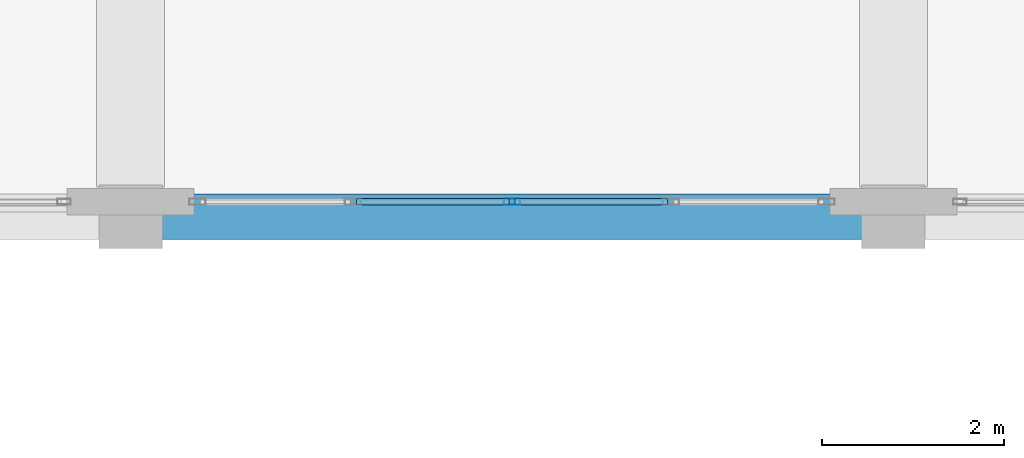
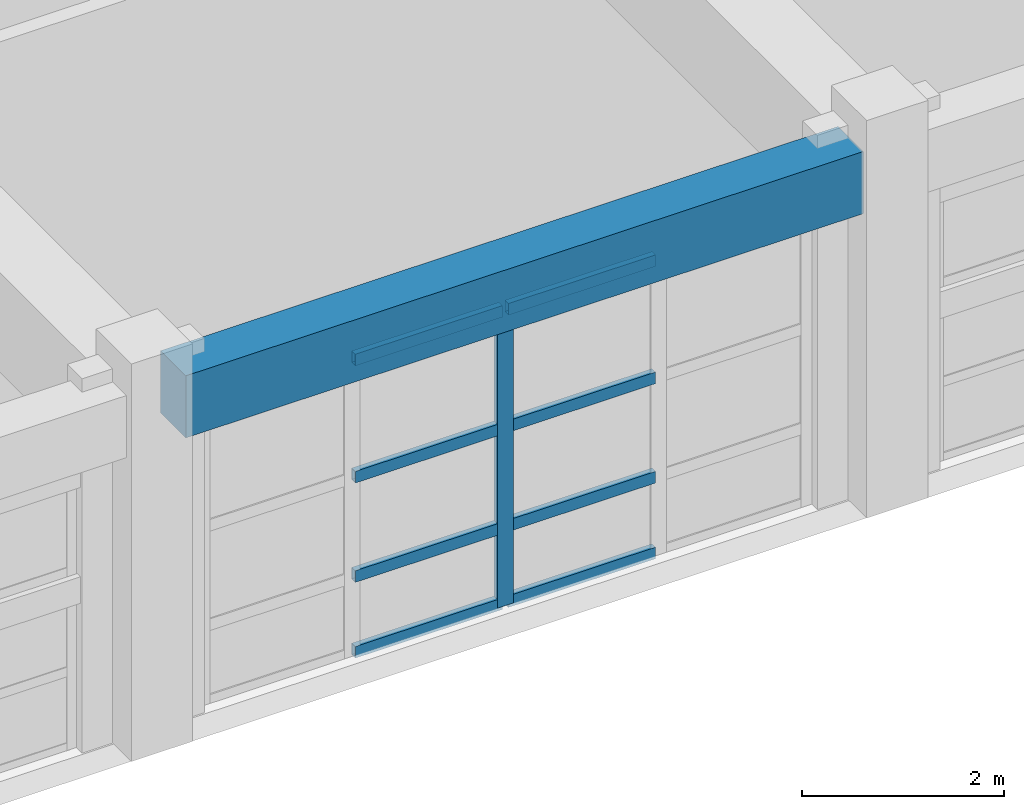
# One storey, part 36 of 123: 9 members, 1 beam, 1 element without a shape of its own.
"""IFC4 building model written with IfcOpenShell, lengths in metres."""

from ifc_helpers import new_model, si_unit, direction, frame, origin, origin_2d, place, context, subcontext, project, spatial, rectangle, hollow_rectangle, extrude, material, layer, layer_set, material_profile, profile_set, type_object, element, aggregate, save


model = new_model("IFC4")

# Units and contexts
model_context = context("Model", 3, precision=1e-05, world=origin(), true_north=direction((0.0, 1.0)))
body_context = subcontext(model_context, "Body", "Model", "MODEL_VIEW")
ifc_project = project(units=[si_unit("LENGTHUNIT", "METRE"), si_unit("AREAUNIT", "SQUARE_METRE"), si_unit("VOLUMEUNIT", "CUBIC_METRE"), si_unit("PLANEANGLEUNIT", "RADIAN"), si_unit("MASSUNIT", "GRAM", prefix="KILO")], contexts=[model_context])

# Site, building, storey
site_placement = place(None, origin())
site = spatial("IfcSite", under=ifc_project, at=site_placement, CompositionType="ELEMENT")
building_placement = place(site_placement, origin())
building = spatial("IfcBuilding", under=site, at=building_placement, Name="Quendrovan Civic Courthouse", CompositionType="ELEMENT")
storey_placement = place(building_placement, frame((0.0, 0.0, 5.39990234375)))
storey = spatial("IfcBuildingStorey", under=building, at=storey_placement, Name="L02", CompositionType="ELEMENT", Elevation=5.39990234375)

# Beam
ifc_material_1 = material(Name="Concrete C40/50", Category="concrete")
ifc_material_profile_1 = material_profile(ifc_material_1, rectangle(XDim=0.5, YDim=0.75, at=origin_2d()), Name="RC-BM-500x750")
ifc_profile_set_1 = profile_set([ifc_material_profile_1], Name="Concrete C40/50")
beam_type = type_object("IfcBeamType", Name="BM-RC750", PredefinedType="SPANDREL", material=ifc_profile_set_1)
beam_placement = place(storey_placement, frame((59.1298828125, 64.800048828125, 3.985107421875), z_axis=(1.0, 0.0, 0.0), x_axis=(0.0, 1.0, 0.0)))
element("IfcBeam", 1, at=beam_placement, inside=storey, type_object=beam_type, Name="L02 Girder X0533", PredefinedType="SPANDREL", context=body_context, shape_type="SweptSolid", body=[
    extrude(rectangle(XDim=0.5, YDim=0.75, at=origin_2d()), origin(), (0.0, 0.0, 1.0), 7.740234375),
])

# Curtain wall, members
ifc_material_2 = material(Name="Bronze anodised aluminium and low-E glass", Category="aluminium")
ifc_layer = layer(ifc_material_2, 0.179931640625, Name="Bronze anodised aluminium and low-E glass")
ifc_layer_set = layer_set([ifc_layer], Name="Bronze anodised aluminium and low-E glass")
curtain_wall_type = type_object("IfcCurtainWallType", Name="CW-U70x36", PredefinedType="USERDEFINED", material=ifc_layer_set)
curtain_wall_placement = place(storey_placement, origin())
curtain_wall = element("IfcCurtainWall", 2, at=curtain_wall_placement, inside=storey, type_object=curtain_wall_type, Name="L02 Unitised Hurricane Curtain Wall CW-110", ObjectType="UNITISED CURTAIN WALL", PredefinedType="USERDEFINED")
ifc_material_3 = material(Name="Bronze anodised aluminium", Category="aluminium")
ifc_material_profile_2 = material_profile(ifc_material_3, hollow_rectangle(XDim=0.070068359375, YDim=0.179931640625, WallThickness=0.00390625, at=origin_2d()), Name="CW-MULL-70x180")
ifc_profile_set_2 = profile_set([ifc_material_profile_2], Name="Bronze anodised aluminium")
member_type_1 = type_object("IfcMemberType", Name="CW-MULL-A", PredefinedType="MULLION", material=ifc_profile_set_2)
member_1_placement = place(storey_placement, frame((63.0, 64.965087890625, 0.0), z_axis=(0.0, 0.0, 1.0), x_axis=(0.0, -1.0, 0.0)))
member_1 = element("IfcMember", 3, at=member_1_placement, type_object=member_type_1, Name="CW-110 mullion 3", PredefinedType="MULLION", context=body_context, shape_type="SweptSolid", body=[
    extrude(hollow_rectangle(XDim=0.070068359375, YDim=0.179931640625, WallThickness=0.00390625, at=origin_2d()), origin(), (0.0, 0.0, 1.0), 3.60009765625),
])
ifc_material_profile_3 = material_profile(ifc_material_3, hollow_rectangle(XDim=0.070068359375, YDim=0.139892578125, WallThickness=0.00390625, at=origin_2d()), Name="CW-TRAN-70x140")
ifc_profile_set_3 = profile_set([ifc_material_profile_3], Name="Bronze anodised aluminium")
member_type_2 = type_object("IfcMemberType", Name="CW-TRAN-A", PredefinedType="USERDEFINED", material=ifc_profile_set_3)
member_2_placement = place(storey_placement, frame((64.715087890625, 64.965087890625, 0.03515625), z_axis=(-1.0, 0.0, 0.0), x_axis=(0.0, -1.0, 0.0)))
member_2 = element("IfcMember", 4, at=member_2_placement, type_object=member_type_2, Name="CW-110 transom 2.1", ObjectType="TRANSOM", PredefinedType="USERDEFINED", context=body_context, shape_type="SweptSolid", body=[
    extrude(hollow_rectangle(XDim=0.070068359375, YDim=0.139892578125, WallThickness=0.00390625, at=origin_2d()), origin(), (0.0, 0.0, 1.0), 1.68017578125),
])
member_3_placement = place(storey_placement, frame((64.715087890625, 64.965087890625, 0.9501953125), z_axis=(-1.0, 0.0, 0.0), x_axis=(0.0, -1.0, 0.0)))
member_3 = element("IfcMember", 5, at=member_3_placement, type_object=member_type_2, Name="CW-110 transom 2.2", ObjectType="TRANSOM", PredefinedType="USERDEFINED", context=body_context, shape_type="SweptSolid", body=[
    extrude(hollow_rectangle(XDim=0.070068359375, YDim=0.139892578125, WallThickness=0.00390625, at=origin_2d()), origin(), (0.0, 0.0, 1.0), 1.68017578125),
])
member_4_placement = place(storey_placement, frame((64.715087890625, 64.965087890625, 2.150146484375), z_axis=(-1.0, 0.0, 0.0), x_axis=(0.0, -1.0, 0.0)))
member_4 = element("IfcMember", 6, at=member_4_placement, type_object=member_type_2, Name="CW-110 transom 2.3", ObjectType="TRANSOM", PredefinedType="USERDEFINED", context=body_context, shape_type="SweptSolid", body=[
    extrude(hollow_rectangle(XDim=0.070068359375, YDim=0.139892578125, WallThickness=0.00390625, at=origin_2d()), origin(), (0.0, 0.0, 1.0), 1.68017578125),
])
member_5_placement = place(storey_placement, frame((64.715087890625, 64.965087890625, 3.565185546875), z_axis=(-1.0, 0.0, 0.0), x_axis=(0.0, -1.0, 0.0)))
member_5 = element("IfcMember", 7, at=member_5_placement, type_object=member_type_2, Name="CW-110 transom 2.4", ObjectType="TRANSOM", PredefinedType="USERDEFINED", context=body_context, shape_type="SweptSolid", body=[
    extrude(hollow_rectangle(XDim=0.070068359375, YDim=0.139892578125, WallThickness=0.00390625, at=origin_2d()), origin(), (0.0, 0.0, 1.0), 1.68017578125),
])
member_6_placement = place(storey_placement, frame((62.965087890625, 64.965087890625, 0.03515625), z_axis=(-1.0, 0.0, 0.0), x_axis=(0.0, -1.0, 0.0)))
member_6 = element("IfcMember", 8, at=member_6_placement, type_object=member_type_2, Name="CW-110 transom 3.1", ObjectType="TRANSOM", PredefinedType="USERDEFINED", context=body_context, shape_type="SweptSolid", body=[
    extrude(hollow_rectangle(XDim=0.070068359375, YDim=0.139892578125, WallThickness=0.00390625, at=origin_2d()), origin(), (0.0, 0.0, 1.0), 1.68017578125),
])
member_7_placement = place(storey_placement, frame((62.965087890625, 64.965087890625, 0.9501953125), z_axis=(-1.0, 0.0, 0.0), x_axis=(0.0, -1.0, 0.0)))
member_7 = element("IfcMember", 9, at=member_7_placement, type_object=member_type_2, Name="CW-110 transom 3.2", ObjectType="TRANSOM", PredefinedType="USERDEFINED", context=body_context, shape_type="SweptSolid", body=[
    extrude(hollow_rectangle(XDim=0.070068359375, YDim=0.139892578125, WallThickness=0.00390625, at=origin_2d()), origin(), (0.0, 0.0, 1.0), 1.68017578125),
])
member_8_placement = place(storey_placement, frame((62.965087890625, 64.965087890625, 2.150146484375), z_axis=(-1.0, 0.0, 0.0), x_axis=(0.0, -1.0, 0.0)))
member_8 = element("IfcMember", 10, at=member_8_placement, type_object=member_type_2, Name="CW-110 transom 3.3", ObjectType="TRANSOM", PredefinedType="USERDEFINED", context=body_context, shape_type="SweptSolid", body=[
    extrude(hollow_rectangle(XDim=0.070068359375, YDim=0.139892578125, WallThickness=0.00390625, at=origin_2d()), origin(), (0.0, 0.0, 1.0), 1.68017578125),
])
member_9_placement = place(storey_placement, frame((62.965087890625, 64.965087890625, 3.565185546875), z_axis=(-1.0, 0.0, 0.0), x_axis=(0.0, -1.0, 0.0)))
member_9 = element("IfcMember", 11, at=member_9_placement, type_object=member_type_2, Name="CW-110 transom 3.4", ObjectType="TRANSOM", PredefinedType="USERDEFINED", context=body_context, shape_type="SweptSolid", body=[
    extrude(hollow_rectangle(XDim=0.070068359375, YDim=0.139892578125, WallThickness=0.00390625, at=origin_2d()), origin(), (0.0, 0.0, 1.0), 1.68017578125),
])
aggregate(curtain_wall, [member_1, member_2, member_3, member_4, member_5, member_6, member_7, member_8, member_9])

save(model, "model.ifc")
